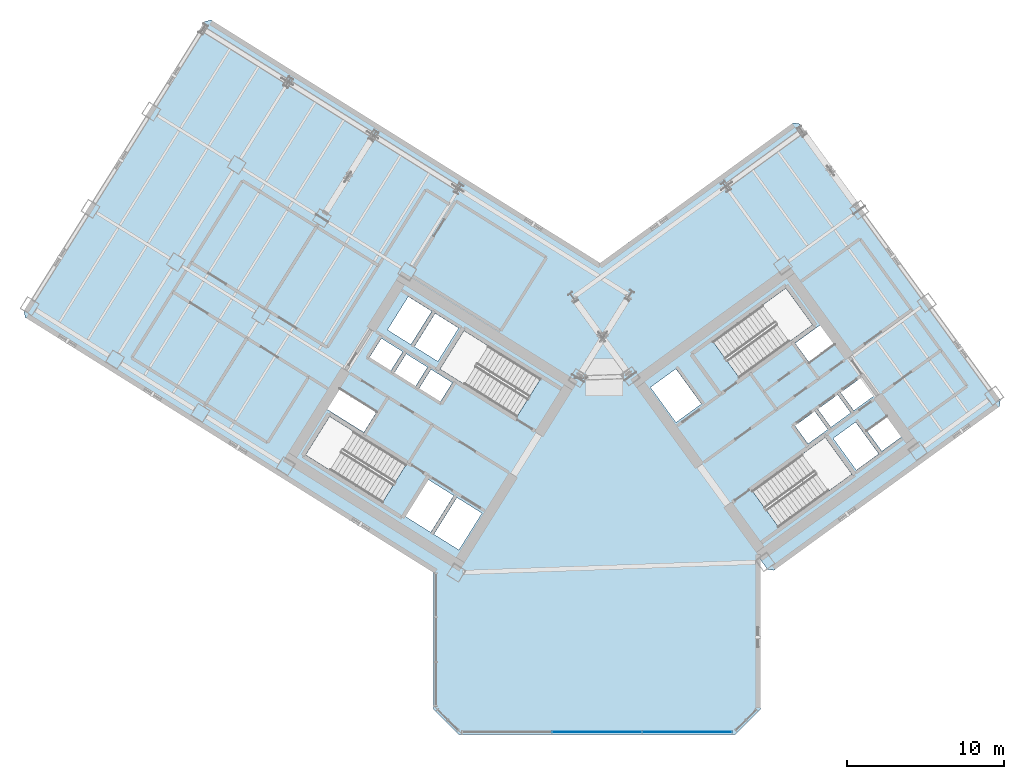
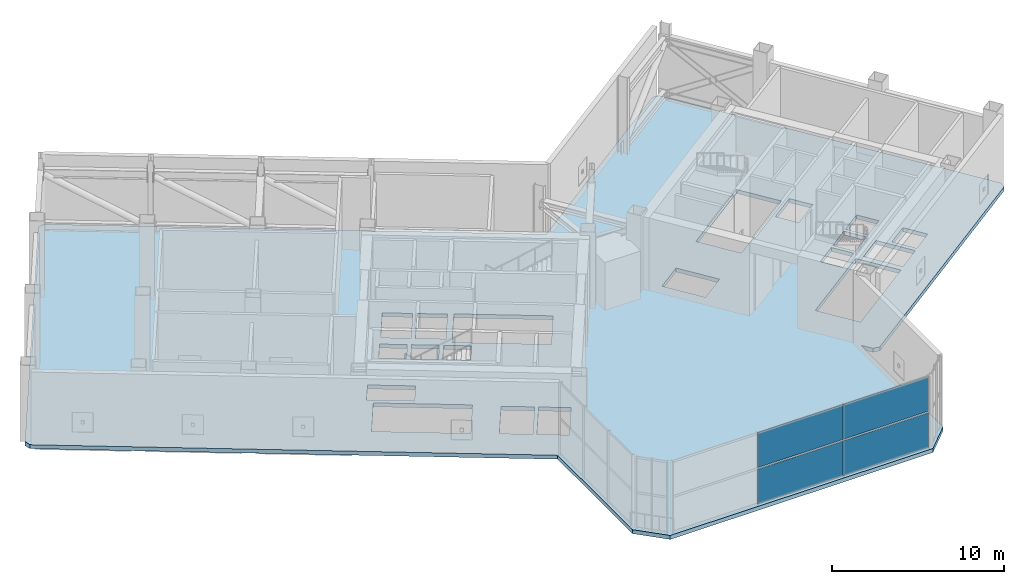
# One storey, part 9 of 21: 4 plates, 1 slab, 1 element without a shape of its own.
"""IFC4 building model written with IfcOpenShell, lengths in metres."""

from ifc_helpers import new_model, si_unit, direction, frame, origin, origin_2d, place, context, subcontext, project, spatial, polyline, rectangle, outline, extrude, source, transform, mapped, material, layer, layer_set, type_object, element, aggregate, save


model = new_model("IFC4")

# Units and contexts
model_context = context("Model", 3, precision=1e-05, world=origin(), true_north=direction((0.0, 1.0)))
body_context = subcontext(model_context, "Body", "Model", "MODEL_VIEW")
ifc_project = project(units=[si_unit("LENGTHUNIT", "METRE"), si_unit("AREAUNIT", "SQUARE_METRE"), si_unit("VOLUMEUNIT", "CUBIC_METRE"), si_unit("PLANEANGLEUNIT", "RADIAN"), si_unit("MASSUNIT", "GRAM", prefix="KILO")], contexts=[model_context])

# Site, building, storey
site_placement = place(None, origin())
site = spatial("IfcSite", under=ifc_project, at=site_placement, CompositionType="ELEMENT")
building_placement = place(site_placement, origin())
building = spatial("IfcBuilding", under=site, at=building_placement, Name="Tlacorven Tower", CompositionType="ELEMENT")
storey_placement = place(building_placement, frame((0.0, 0.0, 84.60009765625)))
storey = spatial("IfcBuildingStorey", under=building, at=storey_placement, Name="L21", CompositionType="ELEMENT", Elevation=84.60009765625)

# Slab
ifc_material_1 = material(Name="Concrete C50/60", Category="concrete")
ifc_layer_1 = layer(ifc_material_1, 0.280029296875)
ifc_layer_set_1 = layer_set([ifc_layer_1], Name="Concrete C50/60")
slab_type = type_object("IfcSlabType", Name="SL-WND-280", PredefinedType="FLOOR", material=ifc_layer_set_1)
slab_placement = place(storey_placement, frame((0.0, 0.0, -0.280029296875)))
element("IfcSlab", 1, at=slab_placement, inside=storey, type_object=slab_type, Name="L21 Boomerang Tower Floor Slab", PredefinedType="FLOOR", context=body_context, shape_type="SweptSolid", body=[
    extrude(outline(polyline([(52.39990234375, 3.39990234375), (50.800048828125, 1.800048828125), (33.199951171875, 1.800048828125), (31.60009765625, 3.39990234375), (31.60009765625, 12.09423828125), (5.62451171875, 28.32568359375), (5.529052734375, 28.739013671875), (17.0390625, 47.15869140625), (17.452392578125, 47.254150390625), (42.19970703125, 31.790283203125), (54.481689453125, 40.713623046875), (54.90087890625, 40.647216796875), (67.66748046875, 23.075439453125), (67.60107421875, 22.656494140625), (53.265380859375, 12.24072265625), (52.846435546875, 12.30712890625), (52.39990234375, 12.921630859375), (52.39990234375, 3.39990234375)]), holes=[polyline([(29.865478515625, 18.979736328125), (24.9892578125, 22.02685546875), (23.463134765625, 19.58447265625), (28.33935546875, 16.537353515625), (29.865478515625, 18.979736328125)]), polyline([(38.4169921875, 24.4375), (33.540771484375, 27.484375), (32.0146484375, 25.0419921875), (36.890869140625, 21.9951171875), (38.4169921875, 24.4375)]), polyline([(51.05908203125, 24.481689453125), (55.7109375, 27.861572265625), (54.01806640625, 30.19140625), (49.3662109375, 26.811767578125), (51.05908203125, 24.481689453125)]), polyline([(53.56298828125, 14.978759765625), (58.21484375, 18.3583984375), (56.52197265625, 20.6884765625), (51.8701171875, 17.30859375), (53.56298828125, 14.978759765625)]), polyline([(34.682373046875, 15.87548828125), (33.088134765625, 16.871826171875), (31.62548828125, 14.531005859375), (33.2197265625, 13.534912109375), (34.682373046875, 15.87548828125)]), polyline([(32.884521484375, 16.9990234375), (31.2392578125, 18.02685546875), (29.77685546875, 15.686279296875), (31.421875, 14.658203125), (32.884521484375, 16.9990234375)]), polyline([(47.0234375, 21.648681640625), (48.6416015625, 22.82421875), (47.019287109375, 25.05712890625), (45.401123046875, 23.881591796875), (47.0234375, 21.648681640625)]), polyline([(33.197265625, 27.65185546875), (31.704833984375, 28.58447265625), (30.3798828125, 26.46435546875), (31.87255859375, 25.53173828125), (33.197265625, 27.65185546875)]), polyline([(31.484375, 28.722412109375), (29.99169921875, 29.655029296875), (28.6669921875, 27.534912109375), (30.159423828125, 26.602294921875), (31.484375, 28.722412109375)]), polyline([(32.794921875, 24.17724609375), (31.43798828125, 25.025146484375), (30.685546875, 23.82080078125), (32.042236328125, 22.972900390625), (32.794921875, 24.17724609375)]), polyline([(31.217529296875, 25.162841796875), (29.860595703125, 26.0107421875), (29.108154296875, 24.806396484375), (30.465087890625, 23.958740234375), (31.217529296875, 25.162841796875)]), polyline([(29.64013671875, 26.1484375), (28.283203125, 26.996337890625), (27.53076171875, 25.792236328125), (28.8876953125, 24.9443359375), (29.64013671875, 26.1484375)]), polyline([(55.427734375, 20.288818359375), (56.68994140625, 21.205810546875), (55.855224609375, 22.354736328125), (54.59326171875, 21.437744140625), (55.427734375, 20.288818359375)]), polyline([(56.884033203125, 21.346923828125), (58.146240234375, 22.263916015625), (57.3115234375, 23.41259765625), (56.04931640625, 22.495849609375), (56.884033203125, 21.346923828125)]), polyline([(58.34033203125, 22.405029296875), (59.602294921875, 23.322021484375), (58.767578125, 24.470703125), (57.505615234375, 23.5537109375), (58.34033203125, 22.405029296875)]), polyline([(58.498779296875, 18.614013671875), (59.922607421875, 19.648681640625), (58.453125, 21.671142578125), (57.029296875, 20.63671875), (58.498779296875, 18.614013671875)]), polyline([(27.96142578125, 22.2919921875), (25.603759765625, 23.76513671875), (24.80908203125, 22.4931640625), (27.16650390625, 21.02001953125), (27.96142578125, 22.2919921875)]), polyline([(55.490478515625, 25.4765625), (57.092529296875, 26.640380859375), (56.210693359375, 27.85400390625), (54.60888671875, 26.690185546875), (55.490478515625, 25.4765625)]), polyline([(60.12109375, 19.817626953125), (61.38330078125, 20.734619140625), (60.45458984375, 22.012939453125), (59.192626953125, 21.095947265625), (60.12109375, 19.817626953125)])]), origin(), (0.0, 0.0, 1.0), 0.280029296875),
])

# Curtain wall, plates
ifc_material_2 = material(Name="Dark solar low-E double glazing in aluminium frame", Category="aluminium")
curtain_wall_type = type_object("IfcCurtainWallType", Name="CW-TWR-LOW", PredefinedType="USERDEFINED", material=ifc_material_2)
curtain_wall_placement = place(storey_placement, origin())
curtain_wall = element("IfcCurtainWall", 2, at=curtain_wall_placement, inside=storey, type_object=curtain_wall_type, Name="L21 CW-TWR-LOW Curtain Wall 112", ObjectType="UNITISED CURTAIN WALL", PredefinedType="USERDEFINED")
ifc_material_3 = material(Name="Dark solar double low-E glazing", Category="glass")
ifc_layer_2 = layer(ifc_material_3, 0.031982421875)
ifc_layer_set_2 = layer_set([ifc_layer_2], Name="Dark solar double low-E glazing")
plate_type = type_object("IfcPlateType", Name="CWP-02", PredefinedType="CURTAIN_PANEL", material=ifc_layer_set_2)
shared_shape_1 = source(origin(), body_context, "Body", "SweptSolid", [
    extrude(rectangle(XDim=5.668701171875, YDim=0.031982421875, at=origin_2d()), origin(), (0.0, 0.0, 1.0), 2.452880859375),
])
plate_1_placement = place(storey_placement, frame((47.73828125, 1.9599609375, 0.06103515625), z_axis=(0.0, 0.0, 1.0), x_axis=(-1.0, 0.0, 0.0)))
plate_1 = element("IfcPlate", 3, at=plate_1_placement, type_object=plate_type, Name="CW-L21-112 Glazing Panel 1", PredefinedType="CURTAIN_PANEL", context=body_context, shape_type="MappedRepresentation", body=[
    mapped(shared_shape_1, transform((0.0, 0.0, 0.0), scale=1.0)),
])
plate_2_placement = place(storey_placement, frame((47.73828125, 1.9599609375, 2.6357421875), z_axis=(0.0, 0.0, 1.0), x_axis=(-1.0, 0.0, 0.0)))
plate_2 = element("IfcPlate", 4, at=plate_2_placement, type_object=plate_type, Name="CW-L21-112 Glazing Panel 2", PredefinedType="CURTAIN_PANEL", context=body_context, shape_type="MappedRepresentation", body=[
    mapped(shared_shape_1, transform((0.0, 0.0, 0.0), scale=1.0)),
])
shared_shape_2 = source(origin(), body_context, "Body", "SweptSolid", [
    extrude(rectangle(XDim=5.703857421875, YDim=0.031982421875, at=origin_2d()), origin(), (0.0, 0.0, 1.0), 2.452880859375),
])
plate_3_placement = place(storey_placement, frame((42.0, 1.9599609375, 0.06103515625), z_axis=(0.0, 0.0, 1.0), x_axis=(-1.0, 0.0, 0.0)))
plate_3 = element("IfcPlate", 5, at=plate_3_placement, type_object=plate_type, Name="CW-L21-112 Glazing Panel 3", PredefinedType="CURTAIN_PANEL", context=body_context, shape_type="MappedRepresentation", body=[
    mapped(shared_shape_2, transform((0.0, 0.0, 0.0), scale=1.0)),
])
plate_4_placement = place(storey_placement, frame((42.0, 1.9599609375, 2.6357421875), z_axis=(0.0, 0.0, 1.0), x_axis=(-1.0, 0.0, 0.0)))
plate_4 = element("IfcPlate", 6, at=plate_4_placement, type_object=plate_type, Name="CW-L21-112 Glazing Panel 4", PredefinedType="CURTAIN_PANEL", context=body_context, shape_type="MappedRepresentation", body=[
    mapped(shared_shape_2, transform((0.0, 0.0, 0.0), scale=1.0)),
])
aggregate(curtain_wall, [plate_1, plate_2, plate_3, plate_4])

save(model, "model.ifc")
